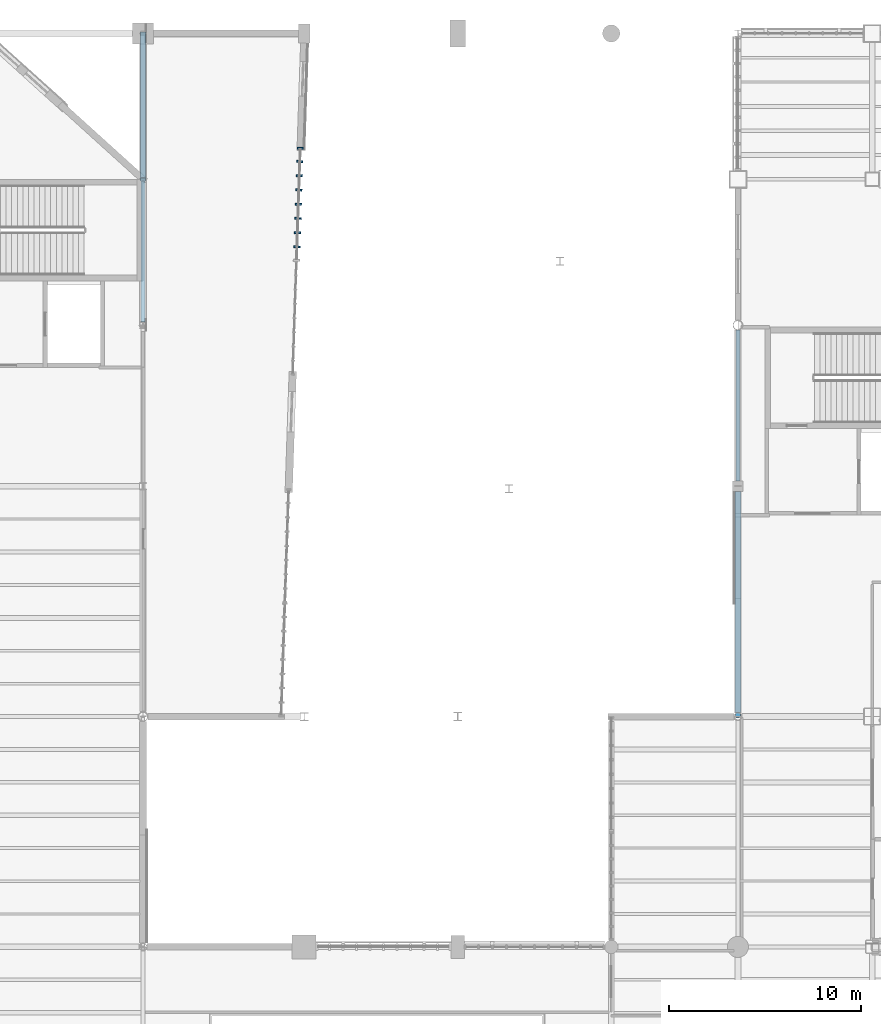
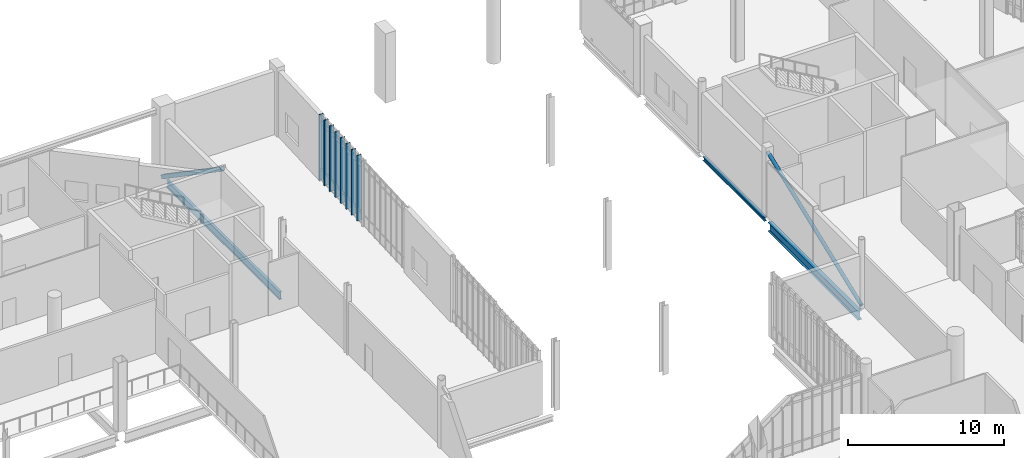
# One storey, part 40 of 127: 10 members, 3 beams, 1 element without a shape of its own.
"""IFC4 building model written with IfcOpenShell, lengths in metres."""

from ifc_helpers import new_model, si_unit, direction, frame, origin, origin_2d, place, context, subcontext, project, spatial, rectangle, hollow_rectangle, hollow_circle, i_section, extrude, material, material_profile, profile_set, type_object, element, aggregate, save


model = new_model("IFC4")

# Units and contexts
model_context = context("Model", 3, precision=1e-05, world=origin(), true_north=direction((0.0, 1.0)))
body_context = subcontext(model_context, "Body", "Model", "MODEL_VIEW")
ifc_project = project(units=[si_unit("LENGTHUNIT", "METRE"), si_unit("AREAUNIT", "SQUARE_METRE"), si_unit("VOLUMEUNIT", "CUBIC_METRE"), si_unit("PLANEANGLEUNIT", "RADIAN"), si_unit("MASSUNIT", "GRAM", prefix="KILO")], contexts=[model_context])

# Site, building, storey
site_placement = place(None, origin())
site = spatial("IfcSite", under=ifc_project, at=site_placement, CompositionType="ELEMENT")
building_placement = place(site_placement, origin())
building = spatial("IfcBuilding", under=site, at=building_placement, Name="Larkvane Passage Sports Hall", CompositionType="ELEMENT")
storey_placement = place(building_placement, frame((0.0, 0.0, 5.39990234375)))
storey = spatial("IfcBuildingStorey", under=building, at=storey_placement, Name="L01", CompositionType="ELEMENT", Elevation=5.39990234375)

# Beams
ifc_material_1 = material(Name="Steel S355JR", Category="steel")
ifc_material_profile_1 = material_profile(ifc_material_1, i_section(OverallWidth=0.199951171875, OverallDepth=0.2939453125, WebThickness=0.008056640625, FlangeThickness=0.011962890625, FilletRadius=0.012939453125, at=origin_2d()), Name="H-294x200x8x12")
ifc_profile_set_1 = profile_set([ifc_material_profile_1], Name="Steel S355JR")
beam_type_1 = type_object("IfcBeamType", Name="BM-STL-H294", PredefinedType="BEAM", material=ifc_profile_set_1)
beam_1_placement = place(storey_placement, frame((124.60009765625, 75.875, -0.56689453125), z_axis=(0.0, 1.0, 0.0), x_axis=(-1.0, 0.0, 0.0)))
element("IfcBeam", 1, at=beam_1_placement, inside=storey, type_object=beam_type_1, Name="Girder BM5-Y-L01-17-0495", PredefinedType="BEAM", context=body_context, shape_type="SweptSolid", body=[
    extrude(i_section(OverallWidth=0.199951171875, OverallDepth=0.2939453125, WebThickness=0.008056640625, FlangeThickness=0.011962890625, FilletRadius=0.012939453125, at=origin_2d()), origin(), (0.0, 0.0, 1.0), 7.87109375),
])
ifc_material_profile_2 = material_profile(ifc_material_1, i_section(OverallWidth=0.199951171875, OverallDepth=0.60009765625, WebThickness=0.010986328125, FlangeThickness=0.01708984375, FilletRadius=0.01806640625, at=origin_2d()), Name="H-600x200x11x17")
ifc_profile_set_2 = profile_set([ifc_material_profile_2], Name="Steel S355JR")
beam_type_2 = type_object("IfcBeamType", Name="BM-STL-H600", PredefinedType="BEAM", material=ifc_profile_set_2)
beam_2_placement = place(storey_placement, frame((93.60009765625, 84.175048828125, -0.719970703125), z_axis=(0.0, 1.0, 0.0), x_axis=(-1.0, 0.0, 0.0)))
element("IfcBeam", 2, at=beam_2_placement, inside=storey, type_object=beam_type_2, Name="Girder BM5-Y-L01-13-0489", PredefinedType="BEAM", context=body_context, shape_type="SweptSolid", body=[
    extrude(i_section(OverallWidth=0.199951171875, OverallDepth=0.60009765625, WebThickness=0.010986328125, FlangeThickness=0.01708984375, FilletRadius=0.01806640625, at=origin_2d()), origin(), (0.0, 0.0, 1.0), 14.474853515625),
])
ifc_material_2 = material(Name="Steel S460N", Category="steel")
ifc_material_profile_3 = material_profile(ifc_material_2, i_section(OverallWidth=0.300048828125, OverallDepth=0.69189453125, WebThickness=0.012939453125, FlangeThickness=0.02001953125, FilletRadius=0.02197265625, at=origin_2d()), Name="H-692x300x13x20")
ifc_profile_set_3 = profile_set([ifc_material_profile_3], Name="Steel S460N")
beam_type_3 = type_object("IfcBeamType", Name="BM-STL-H692", PredefinedType="BEAM", material=ifc_profile_set_3)
beam_3_placement = place(storey_placement, frame((124.60009765625, 63.80322265625, -0.765869140625), z_axis=(0.0, 1.0, 0.0), x_axis=(-1.0, 0.0, 0.0)))
element("IfcBeam", 3, at=beam_3_placement, inside=storey, type_object=beam_type_3, Name="Girder BM5-Y-L01-17-0494", PredefinedType="BEAM", context=body_context, shape_type="SweptSolid", body=[
    extrude(i_section(OverallWidth=0.300048828125, OverallDepth=0.69189453125, WebThickness=0.012939453125, FlangeThickness=0.02001953125, FilletRadius=0.02197265625, at=origin_2d()), origin(), (0.0, 0.0, 1.0), 11.521728515625),
])

# Curtain wall, members
ifc_material_3 = material(Name="Thermally broken aluminium and low-E glazing", Category="aluminium")
curtain_wall_type = type_object("IfcCurtainWallType", Name="CW-CLINIC", PredefinedType="USERDEFINED", material=ifc_material_3)
curtain_wall_placement = place(storey_placement, origin())
curtain_wall = element("IfcCurtainWall", 4, at=curtain_wall_placement, inside=storey, type_object=curtain_wall_type, Name="Curtain wall CW5-L01-043", ObjectType="UNITISED CURTAIN WALL", PredefinedType="USERDEFINED")
ifc_material_4 = material(Name="Anodised aluminium 6063-T6", Category="aluminium")
ifc_material_profile_4 = material_profile(ifc_material_4, rectangle(XDim=0.10009765625, YDim=0.320068359375, at=origin_2d()), Name="ALU-MUL-100x320")
ifc_profile_set_4 = profile_set([ifc_material_profile_4], Name="Anodised aluminium 6063-T6")
member_type_1 = type_object("IfcMemberType", Name="CW-MUL-100x320", PredefinedType="MULLION", material=ifc_profile_set_4)
member_1_placement = place(storey_placement, frame((101.79833984375, 93.216796875, 0.0), z_axis=(0.0, 0.0, 1.0), x_axis=(-0.033688353605, -0.999432386323, 0.0)))
member_1 = element("IfcMember", 5, at=member_1_placement, type_object=member_type_1, Name="CW-05 mullion 1", PredefinedType="MULLION", context=body_context, shape_type="SweptSolid", body=[
    extrude(rectangle(XDim=0.10009765625, YDim=0.320068359375, at=origin_2d()), origin(), (0.0, 0.0, 1.0), 5.10009765625),
])
member_2_placement = place(storey_placement, frame((101.77490234375, 92.525146484375, 0.0), z_axis=(0.0, 0.0, 1.0), x_axis=(-0.033688353605, -0.999432386323, 0.0)))
member_2 = element("IfcMember", 6, at=member_2_placement, type_object=member_type_1, Name="CW-05 mullion 2", PredefinedType="MULLION", context=body_context, shape_type="SweptSolid", body=[
    extrude(rectangle(XDim=0.10009765625, YDim=0.320068359375, at=origin_2d()), origin(), (0.0, 0.0, 1.0), 5.10009765625),
])
member_3_placement = place(storey_placement, frame((101.75, 91.783447265625, 0.0), z_axis=(0.0, 0.0, 1.0), x_axis=(-0.033688353605, -0.999432386323, 0.0)))
member_3 = element("IfcMember", 7, at=member_3_placement, type_object=member_type_1, Name="CW-05 mullion 3", PredefinedType="MULLION", context=body_context, shape_type="SweptSolid", body=[
    extrude(rectangle(XDim=0.10009765625, YDim=0.320068359375, at=origin_2d()), origin(), (0.0, 0.0, 1.0), 5.10009765625),
])
member_4_placement = place(storey_placement, frame((101.72509765625, 91.041748046875, 0.0), z_axis=(0.0, 0.0, 1.0), x_axis=(-0.033688353605, -0.999432386323, 0.0)))
member_4 = element("IfcMember", 8, at=member_4_placement, type_object=member_type_1, Name="CW-05 mullion 4", PredefinedType="MULLION", context=body_context, shape_type="SweptSolid", body=[
    extrude(rectangle(XDim=0.10009765625, YDim=0.320068359375, at=origin_2d()), origin(), (0.0, 0.0, 1.0), 5.10009765625),
])
member_5_placement = place(storey_placement, frame((101.699951171875, 90.300048828125, 0.0), z_axis=(0.0, 0.0, 1.0), x_axis=(-0.033688353605, -0.999432386323, 0.0)))
member_5 = element("IfcMember", 9, at=member_5_placement, type_object=member_type_1, Name="CW-05 mullion 5", PredefinedType="MULLION", context=body_context, shape_type="SweptSolid", body=[
    extrude(rectangle(XDim=0.10009765625, YDim=0.320068359375, at=origin_2d()), origin(), (0.0, 0.0, 1.0), 5.10009765625),
])
member_6_placement = place(storey_placement, frame((101.675048828125, 89.558349609375, 0.0), z_axis=(0.0, 0.0, 1.0), x_axis=(-0.033688353605, -0.999432386323, 0.0)))
member_6 = element("IfcMember", 10, at=member_6_placement, type_object=member_type_1, Name="CW-05 mullion 6", PredefinedType="MULLION", context=body_context, shape_type="SweptSolid", body=[
    extrude(rectangle(XDim=0.10009765625, YDim=0.320068359375, at=origin_2d()), origin(), (0.0, 0.0, 1.0), 5.10009765625),
])
member_7_placement = place(storey_placement, frame((101.64990234375, 88.816650390625, 0.0), z_axis=(0.0, 0.0, 1.0), x_axis=(-0.033688353605, -0.999432386323, 0.0)))
member_7 = element("IfcMember", 11, at=member_7_placement, type_object=member_type_1, Name="CW-05 mullion 7", PredefinedType="MULLION", context=body_context, shape_type="SweptSolid", body=[
    extrude(rectangle(XDim=0.10009765625, YDim=0.320068359375, at=origin_2d()), origin(), (0.0, 0.0, 1.0), 5.10009765625),
])
member_8_placement = place(storey_placement, frame((101.625, 88.074951171875, 0.0), z_axis=(0.0, 0.0, 1.0), x_axis=(-0.033688353605, -0.999432386323, 0.0)))
member_8 = element("IfcMember", 12, at=member_8_placement, type_object=member_type_1, Name="CW-05 mullion 8", PredefinedType="MULLION", context=body_context, shape_type="SweptSolid", body=[
    extrude(rectangle(XDim=0.10009765625, YDim=0.320068359375, at=origin_2d()), origin(), (0.0, 0.0, 1.0), 5.10009765625),
])
aggregate(curtain_wall, [member_1, member_2, member_3, member_4, member_5, member_6, member_7, member_8])

# Members
ifc_material_profile_5 = material_profile(ifc_material_1, hollow_circle(Radius=0.1337890625, WallThickness=0.00927734375, at=origin_2d()), Name="CHS-267.4x9.3")
ifc_profile_set_5 = profile_set([ifc_material_profile_5], Name="Steel S355JR")
member_type_2 = type_object("IfcMemberType", Name="MBR-BR-CHS267", PredefinedType="BRACE", material=ifc_profile_set_5)
member_9_placement = place(storey_placement, frame((124.60009765625, 63.60009765625, 0.150146484375), z_axis=(0.0, 0.931129537334, 0.364688613347), x_axis=(-1.0, 0.0, 0.0)))
element("IfcMember", 13, at=member_9_placement, inside=storey, type_object=member_type_2, Name="Lateral frame brace L01-5", PredefinedType="BRACE", context=body_context, shape_type="SweptSolid", body=[
    extrude(hollow_circle(Radius=0.1337890625, WallThickness=0.00927734375, at=origin_2d()), origin(), (0.0, 0.0, 1.0), 12.887451171875),
])
ifc_material_profile_6 = material_profile(ifc_material_2, hollow_rectangle(XDim=0.300048828125, YDim=0.300048828125, WallThickness=0.011962890625, InnerFilletRadius=0.011962890625, OuterFilletRadius=0.02392578125, at=origin_2d()), Name="SHS-300x300x12")
ifc_profile_set_6 = profile_set([ifc_material_profile_6], Name="Steel S460N")
member_type_3 = type_object("IfcMemberType", Name="MBR-BR-SHS300", PredefinedType="BRACE", material=ifc_profile_set_6)
member_10_placement = place(storey_placement, frame((93.60009765625, 91.60009765625, 4.68603515625), z_axis=(0.0, 0.824798050445, -0.565427427688), x_axis=(-1.0, 0.0, 0.0)))
element("IfcMember", 14, at=member_10_placement, inside=storey, type_object=member_type_3, Name="Cantilever truss CT-N1A-2 web diagonal 2", PredefinedType="BRACE", context=body_context, shape_type="SweptSolid", body=[
    extrude(hollow_rectangle(XDim=0.300048828125, YDim=0.300048828125, WallThickness=0.011962890625, InnerFilletRadius=0.011962890625, OuterFilletRadius=0.02392578125, at=origin_2d()), origin(), (0.0, 0.0, 1.0), 9.214111328125),
])

save(model, "model.ifc")
